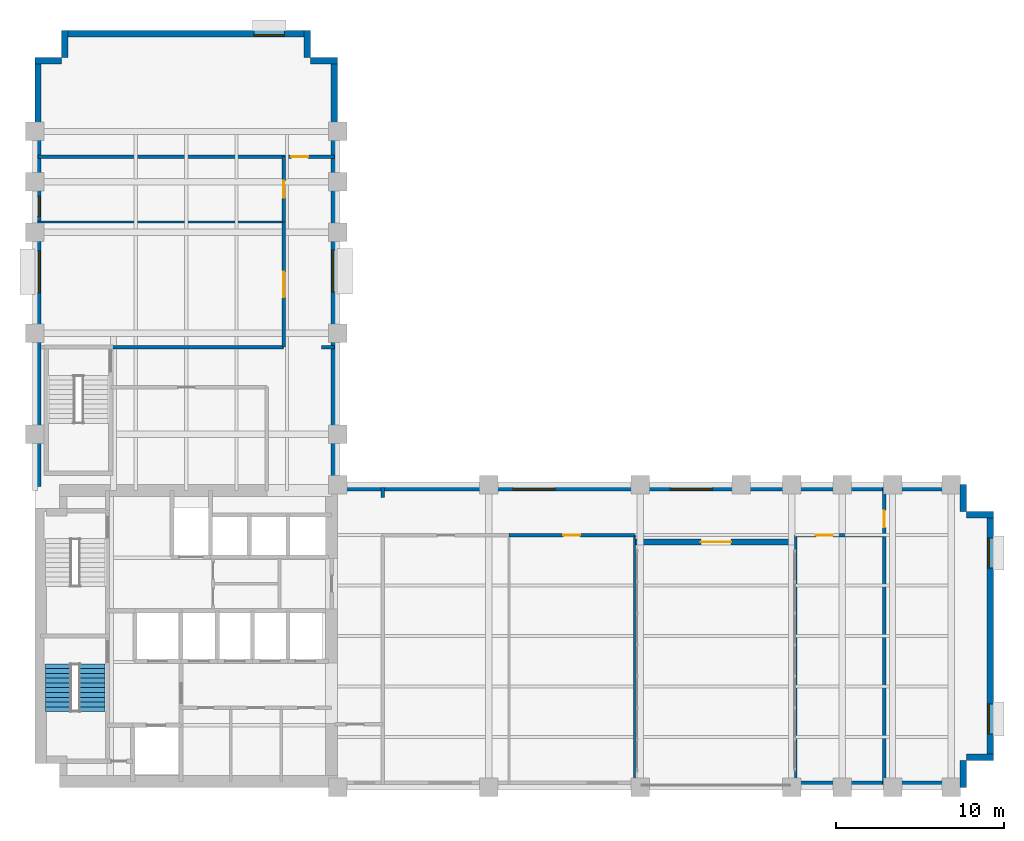
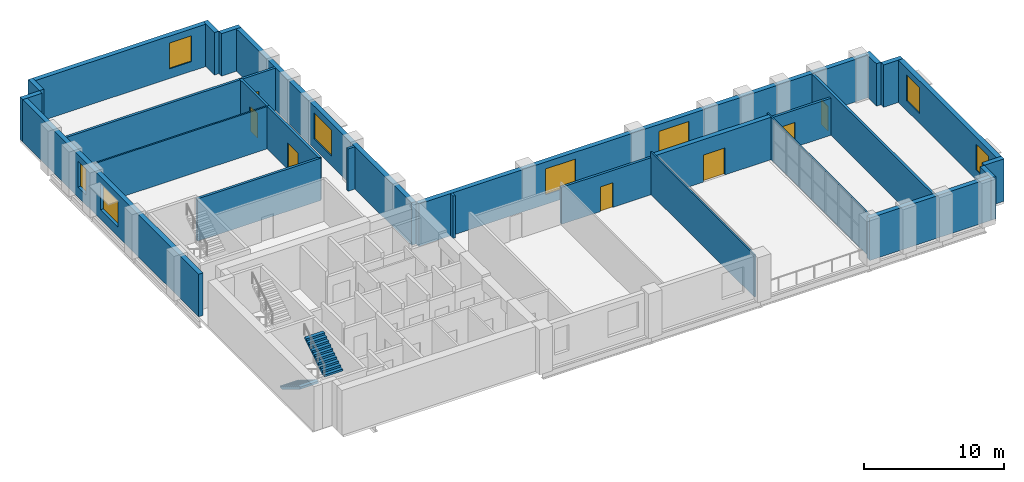
# One storey, part 9 of 12: 27 walls, 8 windows, 7 doors, 2 stair flights, 15 openings, 1 element without a shape of its own.
"""IFC4 building model written with IfcOpenShell, lengths in metres."""

from ifc_helpers import new_model, si_unit, direction, frame, frame_2d, origin, place, context, subcontext, project, spatial, polyline, rectangle, outline, extrude, material, layer, layer_set, type_object, element, fill, aggregate, save


model = new_model("IFC4")

# Units and contexts
model_context = context("Model", 3, precision=1e-05, world=origin(), true_north=direction((0.0, 1.0)))
body_context = subcontext(model_context, "Body", "Model", "MODEL_VIEW")
ifc_project = project(units=[si_unit("LENGTHUNIT", "METRE"), si_unit("AREAUNIT", "SQUARE_METRE"), si_unit("VOLUMEUNIT", "CUBIC_METRE"), si_unit("PLANEANGLEUNIT", "RADIAN"), si_unit("MASSUNIT", "GRAM", prefix="KILO")], contexts=[model_context])

# Site, building, storey
site_placement = place(None, origin())
site = spatial("IfcSite", under=ifc_project, at=site_placement, CompositionType="ELEMENT")
building_placement = place(site_placement, origin())
building = spatial("IfcBuilding", under=site, at=building_placement, Name="Mawjdan Bourse Tower", CompositionType="ELEMENT")
storey_placement = place(building_placement, frame((0.0, 0.0, 120.60009765625)))
storey = spatial("IfcBuildingStorey", under=building, at=storey_placement, Name="L28", CompositionType="ELEMENT", Elevation=120.60009765625)

# Wall, opening, door
ifc_material_1 = material(Name="Brick Masonry Terracotta Red", Category="masonry")
ifc_layer_1 = layer(ifc_material_1, 0.3798828125)
ifc_layer_set_1 = layer_set([ifc_layer_1], Name="Brick Masonry Terracotta Red")
wall_type_1 = type_object("IfcWallType", Name="WL-BRK-RED-380", PredefinedType="STANDARD", material=ifc_layer_set_1)
wall_1_placement = place(storey_placement, frame((41.699951171875, 17.590087890625, 0.0), z_axis=(0.0, 0.0, 1.0), x_axis=(1.0, 0.0, 0.0)))
wall_1 = element("IfcWall", 1, at=wall_1_placement, inside=storey, type_object=wall_type_1, Name="L28 Exterior Brick Wall 3", PredefinedType="STANDARD", context=body_context, shape_type="SweptSolid", body=[
    extrude(rectangle(XDim=9.5, YDim=0.3798828125, at=frame_2d((4.75, 0.0))), origin(), (0.0, 0.0, 1.0), 3.699951171875),
])
opening_1_placement = place(wall_1_placement, frame((3.89990234375, 0.0, 0.0)))
opening_1 = element("IfcOpeningElement", 2, at=opening_1_placement, cuts=wall_1, Name="Opening TD-L28-01", PredefinedType="OPENING", context=body_context, shape_type="SweptSolid", body=[
    extrude(rectangle(XDim=1.800048828125, YDim=2.35009765625, at=frame_2d((0.89990234375, 1.175048828125))), frame((0.0, 0.199951171875, 0.0), z_axis=(0.0, -1.0, 0.0), x_axis=(1.0, 0.0, 0.0)), (0.0, 0.0, 1.0), 0.39990234375),
])
ifc_material_2 = material(Name="Thermally Broken Glazed Aluminium", Category="aluminium")
door_type_1 = type_object("IfcDoorType", Name="DR-TER-1800", OperationType="DOUBLE_DOOR_SINGLE_SWING", PredefinedType="DOOR", material=ifc_material_2)
door_1_placement = place(opening_1_placement, frame((1.800048828125, 0.0, 0.0), z_axis=(0.0, 0.0, 1.0), x_axis=(-1.0, 0.0, 0.0)))
door_1 = element("IfcDoor", 3, at=door_1_placement, inside=storey, type_object=door_type_1, Name="L28 East Void Portal Sky Deck Door", OperationType="DOUBLE_DOOR_SINGLE_SWING", OverallHeight=2.35009765625, OverallWidth=1.800048828125, PredefinedType="DOOR", context=body_context, shape_type="SweptSolid", body=[
    extrude(rectangle(XDim=1.800048828125, YDim=2.35009765625, at=frame_2d((0.89990234375, 1.175048828125))), frame((0.0, 0.02490234375, 0.0), z_axis=(0.0, -1.0, 0.0), x_axis=(1.0, 0.0, 0.0)), (0.0, 0.0, 1.0), 0.050048828125),
])
fill(opening_1, door_1)

# Walls
wall_2_placement = place(storey_placement, frame((51.0, 3.18994140625, 0.0), z_axis=(0.0, 0.0, 1.0), x_axis=(1.0, 0.0, 0.0)))
element("IfcWall", 4, at=wall_2_placement, inside=storey, type_object=wall_type_1, Name="L28 Exterior Brick Wall 5", PredefinedType="STANDARD", context=body_context, shape_type="SweptSolid", body=[
    extrude(rectangle(XDim=10.39990234375, YDim=0.3798828125, at=frame_2d((5.199951171875, 0.0))), origin(), (0.0, 0.0, 1.0), 3.699951171875),
])
for number, where, z_axis, x_axis, name in (
    (5, (61.2099609375, 3.0, 0.0), (0.0, 0.0, 1.0), (0.0, 1.0, 0.0), "L28 Exterior Brick Wall 6"),
    (6, (61.39990234375, 4.7900390625, 0.0), (0.0, 0.0, 1.0), (1.0, 0.0, 0.0), "L28 Exterior Brick Wall 7"),
):
    element("IfcWall", number, at=place(storey_placement, frame(where, z_axis=z_axis, x_axis=x_axis)), inside=storey, type_object=wall_type_1, Name=name, PredefinedType="STANDARD", context=body_context, shape_type="SweptSolid", body=[
        extrude(rectangle(XDim=1.60009765625, YDim=0.3798828125, at=frame_2d((0.800048828125, 0.0))), origin(), (0.0, 0.0, 1.0), 3.699951171875),
    ])

# Wall, openings, windows
wall_3_placement = place(storey_placement, frame((62.81005859375, 4.60009765625, 0.0), z_axis=(0.0, 0.0, 1.0), x_axis=(0.0, 1.0, 0.0)))
wall_3 = element("IfcWall", 7, at=wall_3_placement, inside=storey, type_object=wall_type_1, Name="L28 Exterior Brick Wall 8", PredefinedType="STANDARD", context=body_context, shape_type="SweptSolid", body=[
    extrude(rectangle(XDim=14.7998046875, YDim=0.3798828125, at=frame_2d((7.39990234375, 0.0))), origin(), (0.0, 0.0, 1.0), 3.699951171875),
])
opening_2_placement = place(wall_3_placement, frame((1.566650390625, 0.0, 0.85009765625)))
opening_2 = element("IfcOpeningElement", 8, at=opening_2_placement, cuts=wall_3, Name="Opening W-L28-03", PredefinedType="OPENING", context=body_context, shape_type="SweptSolid", body=[
    extrude(rectangle(XDim=1.800048828125, YDim=2.25, at=frame_2d((0.89990234375, 1.125))), frame((0.0, 0.199951171875, 0.0), z_axis=(0.0, -1.0, 0.0), x_axis=(1.0, 0.0, 0.0)), (0.0, 0.0, 1.0), 0.39990234375),
])
opening_3_placement = place(wall_3_placement, frame((11.433349609375, 0.0, 0.85009765625)))
opening_3 = element("IfcOpeningElement", 9, at=opening_3_placement, cuts=wall_3, Name="Opening W-L28-04", PredefinedType="OPENING", context=body_context, shape_type="SweptSolid", body=[
    extrude(rectangle(XDim=1.800048828125, YDim=2.25, at=frame_2d((0.89990234375, 1.125))), frame((0.0, 0.199951171875, 0.0), z_axis=(0.0, -1.0, 0.0), x_axis=(1.0, 0.0, 0.0)), (0.0, 0.0, 1.0), 0.39990234375),
])
ifc_material_3 = material(Name="Solar-Control Clear Double Glazing", Category="glass")
window_type_1 = type_object("IfcWindowType", Name="WN-Z2-1800", PartitioningType="SINGLE_PANEL", PredefinedType="WINDOW", material=ifc_material_3)
window_1_placement = place(opening_2_placement, origin())
window_1 = element("IfcWindow", 10, at=window_1_placement, inside=storey, type_object=window_type_1, Name="L28 Deep-Set Masonry Window W-L28-03", OverallHeight=2.25, OverallWidth=1.800048828125, PartitioningType="SINGLE_PANEL", PredefinedType="WINDOW", context=body_context, shape_type="SweptSolid", body=[
    extrude(rectangle(XDim=1.800048828125, YDim=2.25, at=frame_2d((0.89990234375, 1.125))), frame((0.0, 0.110107421875, 0.0), z_axis=(0.0, -1.0, 0.0), x_axis=(1.0, 0.0, 0.0)), (0.0, 0.0, 1.0), 0.06005859375),
])
fill(opening_2, window_1)
window_2_placement = place(opening_3_placement, origin())
window_2 = element("IfcWindow", 11, at=window_2_placement, inside=storey, type_object=window_type_1, Name="L28 Deep-Set Masonry Window W-L28-04", OverallHeight=2.25, OverallWidth=1.800048828125, PartitioningType="SINGLE_PANEL", PredefinedType="WINDOW", context=body_context, shape_type="SweptSolid", body=[
    extrude(rectangle(XDim=1.800048828125, YDim=2.25, at=frame_2d((0.89990234375, 1.125))), frame((0.0, 0.110107421875, 0.0), z_axis=(0.0, -1.0, 0.0), x_axis=(1.0, 0.0, 0.0)), (0.0, 0.0, 1.0), 0.06005859375),
])
fill(opening_3, window_2)

# Walls
for number, where, z_axis, x_axis, name in (
    (12, (63.0, 19.2099609375, 0.0), (0.0, 0.0, 1.0), (-1.0, 0.0, 0.0), "L28 Exterior Brick Wall 9"),
    (13, (61.2099609375, 19.39990234375, 0.0), (0.0, 0.0, 1.0), (0.0, 1.0, 0.0), "L28 Exterior Brick Wall 10"),
):
    element("IfcWall", number, at=place(storey_placement, frame(where, z_axis=z_axis, x_axis=x_axis)), inside=storey, type_object=wall_type_1, Name=name, PredefinedType="STANDARD", context=body_context, shape_type="SweptSolid", body=[
        extrude(rectangle(XDim=1.60009765625, YDim=0.3798828125, at=frame_2d((0.800048828125, 0.0))), origin(), (0.0, 0.0, 1.0), 3.699951171875),
    ])

# Wall, openings, windows
wall_4_placement = place(storey_placement, frame((61.39990234375, 20.81005859375, 0.0), z_axis=(0.0, 0.0, 1.0), x_axis=(-1.0, 0.0, 0.0)))
wall_4 = element("IfcWall", 14, at=wall_4_placement, inside=storey, type_object=wall_type_1, Name="L28 Exterior Brick Wall 11", PredefinedType="STANDARD", context=body_context, shape_type="SweptSolid", body=[
    extrude(rectangle(XDim=37.39990234375, YDim=0.3798828125, at=frame_2d((18.699951171875, 0.0))), origin(), (0.0, 0.0, 1.0), 3.699951171875),
])
opening_4_placement = place(wall_4_placement, frame((15.112548828125, 0.0, 0.85009765625)))
opening_4 = element("IfcOpeningElement", 15, at=opening_4_placement, cuts=wall_4, Name="Opening W-L28-05", PredefinedType="OPENING", context=body_context, shape_type="SweptSolid", body=[
    extrude(rectangle(XDim=2.5, YDim=2.25, at=frame_2d((1.25, 1.125))), frame((0.0, 0.199951171875, 0.0), z_axis=(0.0, -1.0, 0.0), x_axis=(1.0, 0.0, 0.0)), (0.0, 0.0, 1.0), 0.39990234375),
])
opening_5_placement = place(wall_4_placement, frame((24.46240234375, 0.0, 0.85009765625)))
opening_5 = element("IfcOpeningElement", 16, at=opening_5_placement, cuts=wall_4, Name="Opening W-L28-06", PredefinedType="OPENING", context=body_context, shape_type="SweptSolid", body=[
    extrude(rectangle(XDim=2.5, YDim=2.25, at=frame_2d((1.25, 1.125))), frame((0.0, 0.199951171875, 0.0), z_axis=(0.0, -1.0, 0.0), x_axis=(1.0, 0.0, 0.0)), (0.0, 0.0, 1.0), 0.39990234375),
])
window_type_2 = type_object("IfcWindowType", Name="WN-Z2-2500", PartitioningType="SINGLE_PANEL", PredefinedType="WINDOW", material=ifc_material_3)
window_3_placement = place(opening_4_placement, origin())
window_3 = element("IfcWindow", 17, at=window_3_placement, inside=storey, type_object=window_type_2, Name="L28 Deep-Set Masonry Window W-L28-05", OverallHeight=2.25, OverallWidth=2.5, PartitioningType="SINGLE_PANEL", PredefinedType="WINDOW", context=body_context, shape_type="SweptSolid", body=[
    extrude(rectangle(XDim=2.5, YDim=2.25, at=frame_2d((1.25, 1.125))), frame((0.0, 0.110107421875, 0.0), z_axis=(0.0, -1.0, 0.0), x_axis=(1.0, 0.0, 0.0)), (0.0, 0.0, 1.0), 0.06005859375),
])
fill(opening_4, window_3)
window_4_placement = place(opening_5_placement, origin())
window_4 = element("IfcWindow", 18, at=window_4_placement, inside=storey, type_object=window_type_2, Name="L28 Deep-Set Masonry Window W-L28-06", OverallHeight=2.25, OverallWidth=2.5, PartitioningType="SINGLE_PANEL", PredefinedType="WINDOW", context=body_context, shape_type="SweptSolid", body=[
    extrude(rectangle(XDim=2.5, YDim=2.25, at=frame_2d((1.25, 1.125))), frame((0.0, 0.110107421875, 0.0), z_axis=(0.0, -1.0, 0.0), x_axis=(1.0, 0.0, 0.0)), (0.0, 0.0, 1.0), 0.06005859375),
])
fill(opening_5, window_4)

# Wall, opening, window
wall_5_placement = place(storey_placement, frame((23.81005859375, 21.0, 0.0), z_axis=(0.0, 0.0, 1.0), x_axis=(0.0, 1.0, 0.0)))
wall_5 = element("IfcWall", 19, at=wall_5_placement, inside=storey, type_object=wall_type_1, Name="L28 Exterior Brick Wall 12", PredefinedType="STANDARD", context=body_context, shape_type="SweptSolid", body=[
    extrude(rectangle(XDim=25.39990234375, YDim=0.3798828125, at=frame_2d((12.699951171875, 0.0))), origin(), (0.0, 0.0, 1.0), 3.699951171875),
])
opening_6_placement = place(wall_5_placement, frame((11.449951171875, 0.0, 0.85009765625)))
opening_6 = element("IfcOpeningElement", 20, at=opening_6_placement, cuts=wall_5, Name="Opening W-L28-07", PredefinedType="OPENING", context=body_context, shape_type="SweptSolid", body=[
    extrude(rectangle(XDim=2.5, YDim=2.25, at=frame_2d((1.25, 1.125))), frame((0.0, 0.199951171875, 0.0), z_axis=(0.0, -1.0, 0.0), x_axis=(1.0, 0.0, 0.0)), (0.0, 0.0, 1.0), 0.39990234375),
])
window_5_placement = place(opening_6_placement, origin())
window_5 = element("IfcWindow", 21, at=window_5_placement, inside=storey, type_object=window_type_2, Name="L28 Deep-Set Masonry Window W-L28-07", OverallHeight=2.25, OverallWidth=2.5, PartitioningType="SINGLE_PANEL", PredefinedType="WINDOW", context=body_context, shape_type="SweptSolid", body=[
    extrude(rectangle(XDim=2.5, YDim=2.25, at=frame_2d((1.25, 1.125))), frame((0.0, 0.110107421875, 0.0), z_axis=(0.0, -1.0, 0.0), x_axis=(1.0, 0.0, 0.0)), (0.0, 0.0, 1.0), 0.06005859375),
])
fill(opening_6, window_5)

# Walls
for number, where, z_axis, x_axis, name in (
    (22, (24.0, 46.2099609375, 0.0), (0.0, 0.0, 1.0), (-1.0, 0.0, 0.0), "L28 Exterior Brick Wall 13"),
    (23, (22.2099609375, 46.39990234375, 0.0), (0.0, 0.0, 1.0), (0.0, 1.0, 0.0), "L28 Exterior Brick Wall 14"),
):
    element("IfcWall", number, at=place(storey_placement, frame(where, z_axis=z_axis, x_axis=x_axis)), inside=storey, type_object=wall_type_1, Name=name, PredefinedType="STANDARD", context=body_context, shape_type="SweptSolid", body=[
        extrude(rectangle(XDim=1.60009765625, YDim=0.3798828125, at=frame_2d((0.800048828125, 0.0))), origin(), (0.0, 0.0, 1.0), 3.699951171875),
    ])

# Wall, opening, window
wall_6_placement = place(storey_placement, frame((22.39990234375, 47.81005859375, 0.0), z_axis=(0.0, 0.0, 1.0), x_axis=(-1.0, 0.0, 0.0)))
wall_6 = element("IfcWall", 24, at=wall_6_placement, inside=storey, type_object=wall_type_1, Name="L28 Exterior Brick Wall 15", PredefinedType="STANDARD", context=body_context, shape_type="SweptSolid", body=[
    extrude(rectangle(XDim=14.7998046875, YDim=0.3798828125, at=frame_2d((7.39990234375, 0.0))), origin(), (0.0, 0.0, 1.0), 3.699951171875),
])
opening_7_placement = place(wall_6_placement, frame((1.566650390625, 0.0, 0.85009765625)))
opening_7 = element("IfcOpeningElement", 25, at=opening_7_placement, cuts=wall_6, Name="Opening W-L28-08", PredefinedType="OPENING", context=body_context, shape_type="SweptSolid", body=[
    extrude(rectangle(XDim=1.800048828125, YDim=2.25, at=frame_2d((0.89990234375, 1.125))), frame((0.0, 0.199951171875, 0.0), z_axis=(0.0, -1.0, 0.0), x_axis=(1.0, 0.0, 0.0)), (0.0, 0.0, 1.0), 0.39990234375),
])
window_6_placement = place(opening_7_placement, origin())
window_6 = element("IfcWindow", 26, at=window_6_placement, inside=storey, type_object=window_type_1, Name="L28 Deep-Set Masonry Window W-L28-08", OverallHeight=2.25, OverallWidth=1.800048828125, PartitioningType="SINGLE_PANEL", PredefinedType="WINDOW", context=body_context, shape_type="SweptSolid", body=[
    extrude(rectangle(XDim=1.800048828125, YDim=2.25, at=frame_2d((0.89990234375, 1.125))), frame((0.0, 0.110107421875, 0.0), z_axis=(0.0, -1.0, 0.0), x_axis=(1.0, 0.0, 0.0)), (0.0, 0.0, 1.0), 0.06005859375),
])
fill(opening_7, window_6)

# Walls
for number, where, z_axis, x_axis, name in (
    (27, (7.7900390625, 48.0, 0.0), (0.0, 0.0, 1.0), (0.0, -1.0, 0.0), "L28 Exterior Brick Wall 16"),
    (28, (7.60009765625, 46.2099609375, 0.0), (0.0, 0.0, 1.0), (-1.0, 0.0, 0.0), "L28 Exterior Brick Wall 17"),
):
    element("IfcWall", number, at=place(storey_placement, frame(where, z_axis=z_axis, x_axis=x_axis)), inside=storey, type_object=wall_type_1, Name=name, PredefinedType="STANDARD", context=body_context, shape_type="SweptSolid", body=[
        extrude(rectangle(XDim=1.60009765625, YDim=0.3798828125, at=frame_2d((0.800048828125, 0.0))), origin(), (0.0, 0.0, 1.0), 3.699951171875),
    ])

# Wall, openings, windows
wall_7_placement = place(storey_placement, frame((6.18994140625, 46.39990234375, 0.0), z_axis=(0.0, 0.0, 1.0), x_axis=(0.0, -1.0, 0.0)))
wall_7 = element("IfcWall", 29, at=wall_7_placement, inside=storey, type_object=wall_type_1, Name="L28 Exterior Brick Wall 18", PredefinedType="STANDARD", context=body_context, shape_type="SweptSolid", body=[
    extrude(rectangle(XDim=25.5, YDim=0.3798828125, at=frame_2d((12.75, 0.0))), origin(), (0.0, 0.0, 1.0), 3.699951171875),
])
opening_8_placement = place(wall_7_placement, frame((11.5, 0.0, 0.85009765625)))
opening_8 = element("IfcOpeningElement", 30, at=opening_8_placement, cuts=wall_7, Name="Opening W-L28-09", PredefinedType="OPENING", context=body_context, shape_type="SweptSolid", body=[
    extrude(rectangle(XDim=2.5, YDim=2.25, at=frame_2d((1.25, 1.125))), frame((0.0, 0.199951171875, 0.0), z_axis=(0.0, -1.0, 0.0), x_axis=(1.0, 0.0, 0.0)), (0.0, 0.0, 1.0), 0.39990234375),
])
opening_9_placement = place(wall_7_placement, frame((8.25439453125, 0.0, 0.85009765625)))
opening_9 = element("IfcOpeningElement", 31, at=opening_9_placement, cuts=wall_7, Name="Opening W-L28-11", PredefinedType="OPENING", context=body_context, shape_type="SweptSolid", body=[
    extrude(rectangle(XDim=1.199951171875, YDim=2.25, at=frame_2d((0.60009765625, 1.125))), frame((0.0, 0.199951171875, 0.0), z_axis=(0.0, -1.0, 0.0), x_axis=(1.0, 0.0, 0.0)), (0.0, 0.0, 1.0), 0.39990234375),
])
window_type_3 = type_object("IfcWindowType", Name="WN-Z2-1200", PartitioningType="SINGLE_PANEL", PredefinedType="WINDOW", material=ifc_material_3)
window_7_placement = place(opening_9_placement, origin())
window_7 = element("IfcWindow", 32, at=window_7_placement, inside=storey, type_object=window_type_3, Name="L28 Deep-Set Masonry Window W-L28-11", OverallHeight=2.25, OverallWidth=1.199951171875, PartitioningType="SINGLE_PANEL", PredefinedType="WINDOW", context=body_context, shape_type="SweptSolid", body=[
    extrude(rectangle(XDim=1.199951171875, YDim=2.25, at=frame_2d((0.60009765625, 1.125))), frame((0.0, 0.110107421875, 0.0), z_axis=(0.0, -1.0, 0.0), x_axis=(1.0, 0.0, 0.0)), (0.0, 0.0, 1.0), 0.06005859375),
])
fill(opening_9, window_7)
window_8_placement = place(opening_8_placement, origin())
window_8 = element("IfcWindow", 33, at=window_8_placement, inside=storey, type_object=window_type_2, Name="L28 Deep-Set Masonry Window W-L28-09", OverallHeight=2.25, OverallWidth=2.5, PartitioningType="SINGLE_PANEL", PredefinedType="WINDOW", context=body_context, shape_type="SweptSolid", body=[
    extrude(rectangle(XDim=2.5, YDim=2.25, at=frame_2d((1.25, 1.125))), frame((0.0, 0.110107421875, 0.0), z_axis=(0.0, -1.0, 0.0), x_axis=(1.0, 0.0, 0.0)), (0.0, 0.0, 1.0), 0.06005859375),
])
fill(opening_8, window_8)

# Wall
ifc_material_4 = material(Name="Gypsum Fireboard Assembly")
ifc_layer_2 = layer(ifc_material_4, 0.199951171875)
ifc_layer_set_2 = layer_set([ifc_layer_2], Name="Gypsum Fireboard Assembly")
wall_type_2 = type_object("IfcWallType", Name="WL-CMP-200", PredefinedType="PARTITIONING", material=ifc_layer_set_2)
wall_8_placement = place(storey_placement, frame((26.699951171875, 20.25, 0.0), z_axis=(0.0, 0.0, 1.0), x_axis=(0.0, 1.0, 0.0)))
element("IfcWall", 34, at=wall_8_placement, inside=storey, type_object=wall_type_2, Name="L28 Vestibule North East Wall", PredefinedType="PARTITIONING", context=body_context, shape_type="SweptSolid", body=[
    extrude(rectangle(XDim=0.570068359375, YDim=0.199951171875, at=frame_2d((0.28515625, 0.0))), origin(), (0.0, 0.0, 1.0), 3.68994140625),
])

# Wall, opening, door
wall_9_placement = place(storey_placement, frame((34.199951171875, 18.0, 0.0), z_axis=(0.0, 0.0, 1.0), x_axis=(1.0, 0.0, 0.0)))
wall_9 = element("IfcWall", 35, at=wall_9_placement, inside=storey, type_object=wall_type_2, Name="L28 Brokerage Executive Suite Corridor Wall", PredefinedType="PARTITIONING", context=body_context, shape_type="SweptSolid", body=[
    extrude(rectangle(XDim=7.449951171875, YDim=0.199951171875, at=frame_2d((3.72509765625, 0.0))), origin(), (0.0, 0.0, 1.0), 3.226806640625),
])
opening_10_placement = place(wall_9_placement, frame((3.22509765625, 0.0, 0.0)))
opening_10 = element("IfcOpeningElement", 36, at=opening_10_placement, cuts=wall_9, Name="Opening D-L28-23", PredefinedType="OPENING", context=body_context, shape_type="SweptSolid", body=[
    extrude(rectangle(XDim=1.0, YDim=2.14990234375, at=frame_2d((0.5, 1.074951171875))), frame((0.0, 0.10986328125, 0.0), z_axis=(0.0, -1.0, 0.0), x_axis=(1.0, 0.0, 0.0)), (0.0, 0.0, 1.0), 0.219970703125),
])
ifc_material_5 = material(Name="Hardwood Acoustic Leaf", Category="wood")
door_type_2 = type_object("IfcDoorType", Name="DR-OFC-1000", OperationType="NOTDEFINED", PredefinedType="DOOR", material=ifc_material_5)
door_2_placement = place(opening_10_placement, origin())
door_2 = element("IfcDoor", 37, at=door_2_placement, inside=storey, type_object=door_type_2, Name="L28 Brokerage Executive Suite Door D-L28-23", OperationType="SINGLE_SWING_RIGHT", OverallHeight=2.14990234375, OverallWidth=1.0, PredefinedType="DOOR", context=body_context, shape_type="SweptSolid", body=[
    extrude(rectangle(XDim=1.0, YDim=2.14990234375, at=frame_2d((0.5, 1.074951171875))), frame((0.0, 0.02490234375, 0.0), z_axis=(0.0, -1.0, 0.0), x_axis=(1.0, 0.0, 0.0)), (0.0, 0.0, 1.0), 0.050048828125),
])
fill(opening_10, door_2)

wall_10_placement = place(storey_placement, frame((51.25, 18.0, 0.0), z_axis=(0.0, 0.0, 1.0), x_axis=(1.0, 0.0, 0.0)))
wall_10 = element("IfcWall", 38, at=wall_10_placement, inside=storey, type_object=wall_type_2, Name="L28 East Portal Outer Corridor Wall", PredefinedType="PARTITIONING", context=body_context, shape_type="SweptSolid", body=[
    extrude(rectangle(XDim=5.25, YDim=0.199951171875, at=frame_2d((2.625, 0.0))), origin(), (0.0, 0.0, 1.0), 3.226806640625),
])
opening_11_placement = place(wall_10_placement, frame((1.199951171875, 0.0, 0.0)))
opening_11 = element("IfcOpeningElement", 39, at=opening_11_placement, cuts=wall_10, Name="Opening D-L28-24", PredefinedType="OPENING", context=body_context, shape_type="SweptSolid", body=[
    extrude(rectangle(XDim=1.0, YDim=2.14990234375, at=frame_2d((0.5, 1.074951171875))), frame((0.0, 0.10986328125, 0.0), z_axis=(0.0, -1.0, 0.0), x_axis=(1.0, 0.0, 0.0)), (0.0, 0.0, 1.0), 0.219970703125),
])
door_3_placement = place(opening_11_placement, origin())
door_3 = element("IfcDoor", 40, at=door_3_placement, inside=storey, type_object=door_type_2, Name="L28 East Portal Outer Suite Door D-L28-24", OperationType="SINGLE_SWING_LEFT", OverallHeight=2.14990234375, OverallWidth=1.0, PredefinedType="DOOR", context=body_context, shape_type="SweptSolid", body=[
    extrude(rectangle(XDim=1.0, YDim=2.14990234375, at=frame_2d((0.5, 1.074951171875))), frame((0.0, 0.02490234375, 0.0), z_axis=(0.0, -1.0, 0.0), x_axis=(1.0, 0.0, 0.0)), (0.0, 0.0, 1.0), 0.050048828125),
])
fill(opening_11, door_3)

wall_11_placement = place(storey_placement, frame((56.5, 3.179931640625, 0.0), z_axis=(0.0, 0.0, 1.0), x_axis=(0.0, 1.0, 0.0)))
wall_11 = element("IfcWall", 41, at=wall_11_placement, inside=storey, type_object=wall_type_2, Name="L28 East Tip Full Cross Wall", PredefinedType="PARTITIONING", context=body_context, shape_type="SweptSolid", body=[
    extrude(rectangle(XDim=17.64013671875, YDim=0.199951171875, at=frame_2d((8.820068359375, 0.0))), origin(), (0.0, 0.0, 1.0), 3.68994140625),
])
opening_12_placement = place(wall_11_placement, frame((15.27490234375, 0.0, 0.0)))
opening_12 = element("IfcOpeningElement", 42, at=opening_12_placement, cuts=wall_11, Name="Opening D-L28-25", PredefinedType="OPENING", context=body_context, shape_type="SweptSolid", body=[
    extrude(rectangle(XDim=1.0, YDim=2.14990234375, at=frame_2d((0.5, 1.074951171875))), frame((0.0, 0.10986328125, 0.0), z_axis=(0.0, -1.0, 0.0), x_axis=(1.0, 0.0, 0.0)), (0.0, 0.0, 1.0), 0.219970703125),
])
door_4_placement = place(opening_12_placement, origin())
door_4 = element("IfcDoor", 43, at=door_4_placement, inside=storey, type_object=door_type_2, Name="L28 East Tip Hall Door D-L28-25", OperationType="SINGLE_SWING_RIGHT", OverallHeight=2.14990234375, OverallWidth=1.0, PredefinedType="DOOR", context=body_context, shape_type="SweptSolid", body=[
    extrude(rectangle(XDim=1.0, YDim=2.14990234375, at=frame_2d((0.5, 1.074951171875))), frame((0.0, 0.02490234375, 0.0), z_axis=(0.0, -1.0, 0.0), x_axis=(1.0, 0.0, 0.0)), (0.0, 0.0, 1.0), 0.050048828125),
])
fill(opening_12, door_4)

# Walls
wall_12_placement = place(storey_placement, frame((10.6298828125, 29.179931640625, 0.0), z_axis=(0.0, 0.0, 1.0), x_axis=(1.0, 0.0, 0.0)))
element("IfcWall", 44, at=wall_12_placement, inside=storey, type_object=wall_type_2, Name="L28 North West Band South Wall", PredefinedType="PARTITIONING", context=body_context, shape_type="SweptSolid", body=[
    extrude(rectangle(XDim=10.170166015625, YDim=0.199951171875, at=frame_2d((5.0849609375, 0.0))), origin(), (0.0, 0.0, 1.0), 3.68994140625),
])
wall_13_placement = place(storey_placement, frame((23.050048828125, 29.179931640625, 0.0), z_axis=(0.0, 0.0, 1.0), x_axis=(1.0, 0.0, 0.0)))
element("IfcWall", 45, at=wall_13_placement, inside=storey, type_object=wall_type_2, Name="L28 North East Band South Wall", PredefinedType="PARTITIONING", context=body_context, shape_type="SweptSolid", body=[
    extrude(rectangle(XDim=0.77001953125, YDim=0.199951171875, at=frame_2d((0.385009765625, 0.0))), origin(), (0.0, 0.0, 1.0), 3.68994140625),
])

# Wall, opening, door
wall_14_placement = place(storey_placement, frame((20.800048828125, 29.179931640625, 0.0), z_axis=(0.0, 0.0, 1.0), x_axis=(0.0, 1.0, 0.0)))
wall_14 = element("IfcWall", 46, at=wall_14_placement, inside=storey, type_object=wall_type_2, Name="L28 Brokerage Executive Suite Corridor Wall", PredefinedType="PARTITIONING", context=body_context, shape_type="SweptSolid", body=[
    extrude(rectangle(XDim=7.440185546875, YDim=0.199951171875, at=frame_2d((3.72021484375, 0.0))), origin(), (0.0, 0.0, 1.0), 3.68994140625),
])
opening_13_placement = place(wall_14_placement, frame((2.969970703125, 0.0, 0.0)))
opening_13 = element("IfcOpeningElement", 47, at=opening_13_placement, cuts=wall_14, Name="Opening D-L28-27", PredefinedType="OPENING", context=body_context, shape_type="SweptSolid", body=[
    extrude(rectangle(XDim=1.5, YDim=2.300048828125, at=frame_2d((0.75, 1.14990234375))), frame((0.0, 0.10986328125, 0.0), z_axis=(0.0, -1.0, 0.0), x_axis=(1.0, 0.0, 0.0)), (0.0, 0.0, 1.0), 0.219970703125),
])
ifc_material_6 = material(Name="Acoustic Glazed Timber", Category="wood")
door_type_3 = type_object("IfcDoorType", Name="DR-CNF-1500", OperationType="DOUBLE_DOOR_SINGLE_SWING", PredefinedType="DOOR", material=ifc_material_6)
door_5_placement = place(opening_13_placement, origin())
door_5 = element("IfcDoor", 48, at=door_5_placement, inside=storey, type_object=door_type_3, Name="L28 Brokerage Executive Suite Door D-L28-27", OperationType="DOUBLE_DOOR_SINGLE_SWING", OverallHeight=2.300048828125, OverallWidth=1.5, PredefinedType="DOOR", context=body_context, shape_type="SweptSolid", body=[
    extrude(rectangle(XDim=1.5, YDim=2.300048828125, at=frame_2d((0.75, 1.14990234375))), frame((0.0, 0.02490234375, 0.0), z_axis=(0.0, -1.0, 0.0), x_axis=(1.0, 0.0, 0.0)), (0.0, 0.0, 1.0), 0.050048828125),
])
fill(opening_13, door_5)

wall_15_placement = place(storey_placement, frame((20.800048828125, 36.6201171875, 0.0), z_axis=(0.0, 0.0, 1.0), x_axis=(0.0, 1.0, 0.0)))
wall_15 = element("IfcWall", 49, at=wall_15_placement, inside=storey, type_object=wall_type_2, Name="L28 Conference Room Corridor Wall", PredefinedType="PARTITIONING", context=body_context, shape_type="SweptSolid", body=[
    extrude(rectangle(XDim=3.8798828125, YDim=0.199951171875, at=frame_2d((1.93994140625, 0.0))), origin(), (0.0, 0.0, 1.0), 3.68994140625),
])
opening_14_placement = place(wall_15_placement, frame((1.43994140625, 0.0, 0.0)))
opening_14 = element("IfcOpeningElement", 50, at=opening_14_placement, cuts=wall_15, Name="Opening D-L28-28", PredefinedType="OPENING", context=body_context, shape_type="SweptSolid", body=[
    extrude(rectangle(XDim=1.0, YDim=2.14990234375, at=frame_2d((0.5, 1.074951171875))), frame((0.0, 0.10986328125, 0.0), z_axis=(0.0, -1.0, 0.0), x_axis=(1.0, 0.0, 0.0)), (0.0, 0.0, 1.0), 0.219970703125),
])
door_6_placement = place(opening_14_placement, origin())
door_6 = element("IfcDoor", 51, at=door_6_placement, inside=storey, type_object=door_type_2, Name="L28 Conference Room Door D-L28-28", OperationType="SINGLE_SWING_RIGHT", OverallHeight=2.14990234375, OverallWidth=1.0, PredefinedType="DOOR", context=body_context, shape_type="SweptSolid", body=[
    extrude(rectangle(XDim=1.0, YDim=2.14990234375, at=frame_2d((0.5, 1.074951171875))), frame((0.0, 0.02490234375, 0.0), z_axis=(0.0, -1.0, 0.0), x_axis=(1.0, 0.0, 0.0)), (0.0, 0.0, 1.0), 0.050048828125),
])
fill(opening_14, door_6)

wall_16_placement = place(storey_placement, frame((6.179931640625, 40.5, 0.0), z_axis=(0.0, 0.0, 1.0), x_axis=(1.0, 0.0, 0.0)))
wall_16 = element("IfcWall", 52, at=wall_16_placement, inside=storey, type_object=wall_type_2, Name="L28 North Tip Full Cross Wall", PredefinedType="PARTITIONING", context=body_context, shape_type="SweptSolid", body=[
    extrude(rectangle(XDim=17.64013671875, YDim=0.199951171875, at=frame_2d((8.820068359375, 0.0))), origin(), (0.0, 0.0, 1.0), 3.68994140625),
])
opening_15_placement = place(wall_16_placement, frame((15.074951171875, 0.0, 0.0)))
opening_15 = element("IfcOpeningElement", 53, at=opening_15_placement, cuts=wall_16, Name="Opening D-L28-29", PredefinedType="OPENING", context=body_context, shape_type="SweptSolid", body=[
    extrude(rectangle(XDim=1.0, YDim=2.14990234375, at=frame_2d((0.5, 1.074951171875))), frame((0.0, 0.10986328125, 0.0), z_axis=(0.0, -1.0, 0.0), x_axis=(1.0, 0.0, 0.0)), (0.0, 0.0, 1.0), 0.219970703125),
])
door_7_placement = place(opening_15_placement, origin())
door_7 = element("IfcDoor", 54, at=door_7_placement, inside=storey, type_object=door_type_2, Name="L28 North Tip Suite Door D-L28-29", OperationType="SINGLE_SWING_LEFT", OverallHeight=2.14990234375, OverallWidth=1.0, PredefinedType="DOOR", context=body_context, shape_type="SweptSolid", body=[
    extrude(rectangle(XDim=1.0, YDim=2.14990234375, at=frame_2d((0.5, 1.074951171875))), frame((0.0, 0.02490234375, 0.0), z_axis=(0.0, -1.0, 0.0), x_axis=(1.0, 0.0, 0.0)), (0.0, 0.0, 1.0), 0.050048828125),
])
fill(opening_15, door_7)

# Walls
ifc_material_7 = material(Name="Gypsum Partition")
ifc_layer_3 = layer(ifc_material_7, 0.125)
ifc_layer_set_3 = layer_set([ifc_layer_3], Name="Gypsum Partition")
wall_type_3 = type_object("IfcWallType", Name="WL-PRT-125", PredefinedType="PARTITIONING", material=ifc_layer_set_3)
for number, where, z_axis, x_axis, name in (
    (55, (41.64990234375, 3.179931640625, 0.0), (0.0, 0.0, 1.0), (0.0, 1.0, 0.0), "L28 East Portal West Cheek Wall"),
    (56, (51.25, 3.179931640625, 0.0), (0.0, 0.0, 1.0), (0.0, 1.0, 0.0), "L28 East Portal East Cheek Wall"),
):
    element("IfcWall", number, at=place(storey_placement, frame(where, z_axis=z_axis, x_axis=x_axis)), inside=storey, type_object=wall_type_3, Name=name, PredefinedType="PARTITIONING", context=body_context, shape_type="SweptSolid", body=[
        extrude(rectangle(XDim=14.820068359375, YDim=0.125, at=frame_2d((7.41015625, 0.0))), origin(), (0.0, 0.0, 1.0), 3.68994140625),
    ])
wall_17_placement = place(storey_placement, frame((6.179931640625, 36.6201171875, 0.0), z_axis=(0.0, 0.0, 1.0), x_axis=(1.0, 0.0, 0.0)))
element("IfcWall", 57, at=wall_17_placement, inside=storey, type_object=wall_type_3, Name="L28 Conference Room Partition", PredefinedType="PARTITIONING", context=body_context, shape_type="SweptSolid", body=[
    extrude(rectangle(XDim=14.6201171875, YDim=0.125, at=frame_2d((7.31005859375, 0.0))), origin(), (0.0, 0.0, 1.0), 3.68994140625),
])

# Stair, stair flights
ifc_material_8 = material(Name="Concrete C50/60", Category="concrete")
stair_type = type_object("IfcStairType", Name="STR-CORE-1500", PredefinedType="HALF_TURN_STAIR", material=ifc_material_8)
stair_placement = place(storey_placement, origin())
stair = element("IfcStair", 58, at=stair_placement, inside=storey, type_object=stair_type, Name="L28 Exit Stair 1 (Core South-West)", PredefinedType="HALF_TURN_STAIR")
stair_flight_type = type_object("IfcStairFlightType", Name="SFL-RC-1500", PredefinedType="STRAIGHT", material=ifc_material_8)
stair_flight_1_placement = place(storey_placement, frame((7.389892578125, 10.35009765625, 0.0), z_axis=(0.0, 0.0, 1.0), x_axis=(0.0, -1.0, 0.0)))
stair_flight_1 = element("IfcStairFlight", 59, at=stair_flight_1_placement, type_object=stair_flight_type, Name="ST1-L28 flight 1", NumberOfRisers=11, NumberOfTreads=10, PredefinedType="STRAIGHT", RiserHeight=0.177273, TreadLength=0.285, context=body_context, shape_type="SweptSolid", body=[
    extrude(outline(polyline([(0.0, 0.0), (0.0, 0.17724609375), (0.284912109375, 0.17724609375), (0.284912109375, 0.3544921875), (0.570068359375, 0.3544921875), (0.570068359375, 0.53173828125), (0.85498046875, 0.53173828125), (0.85498046875, 0.708984375), (1.139892578125, 0.708984375), (1.139892578125, 0.886474609375), (1.425048828125, 0.886474609375), (1.425048828125, 1.063720703125), (1.7099609375, 1.063720703125), (1.7099609375, 1.240966796875), (1.9951171875, 1.240966796875), (1.9951171875, 1.418212890625), (2.280029296875, 1.418212890625), (2.280029296875, 1.595458984375), (2.56494140625, 1.595458984375), (2.56494140625, 1.772705078125), (2.85009765625, 1.772705078125), (2.85009765625, 1.949951171875), (2.85009765625, 1.58447265625), (0.302734375, 0.0), (0.0, 0.0)])), frame((0.0, 0.75, 0.0), z_axis=(0.0, -1.0, 0.0), x_axis=(1.0, 0.0, 0.0)), (0.0, 0.0, 1.0), 1.5),
])
stair_flight_2_placement = place(storey_placement, frame((9.409912109375, 7.5, 1.949951171875), z_axis=(0.0, 0.0, 1.0), x_axis=(0.0, 1.0, 0.0)))
stair_flight_2 = element("IfcStairFlight", 60, at=stair_flight_2_placement, type_object=stair_flight_type, Name="ST1-L28 flight 2", NumberOfRisers=11, NumberOfTreads=10, PredefinedType="STRAIGHT", RiserHeight=0.177273, TreadLength=0.285, context=body_context, shape_type="SweptSolid", body=[
    extrude(outline(polyline([(0.0, 0.0), (0.0, 0.17724609375), (0.284912109375, 0.17724609375), (0.284912109375, 0.3544921875), (0.570068359375, 0.3544921875), (0.570068359375, 0.53173828125), (0.85498046875, 0.53173828125), (0.85498046875, 0.708984375), (1.139892578125, 0.708984375), (1.139892578125, 0.886474609375), (1.425048828125, 0.886474609375), (1.425048828125, 1.063720703125), (1.7099609375, 1.063720703125), (1.7099609375, 1.240966796875), (1.9951171875, 1.240966796875), (1.9951171875, 1.418212890625), (2.280029296875, 1.418212890625), (2.280029296875, 1.595458984375), (2.56494140625, 1.595458984375), (2.56494140625, 1.772705078125), (2.85009765625, 1.772705078125), (2.85009765625, 1.949951171875), (2.85009765625, 1.58447265625), (0.302734375, 0.0), (0.0, 0.0)])), frame((0.0, 0.75, 0.0), z_axis=(0.0, -1.0, 0.0), x_axis=(1.0, 0.0, 0.0)), (0.0, 0.0, 1.0), 1.5),
])
aggregate(stair, [stair_flight_1, stair_flight_2])

save(model, "model.ifc")
